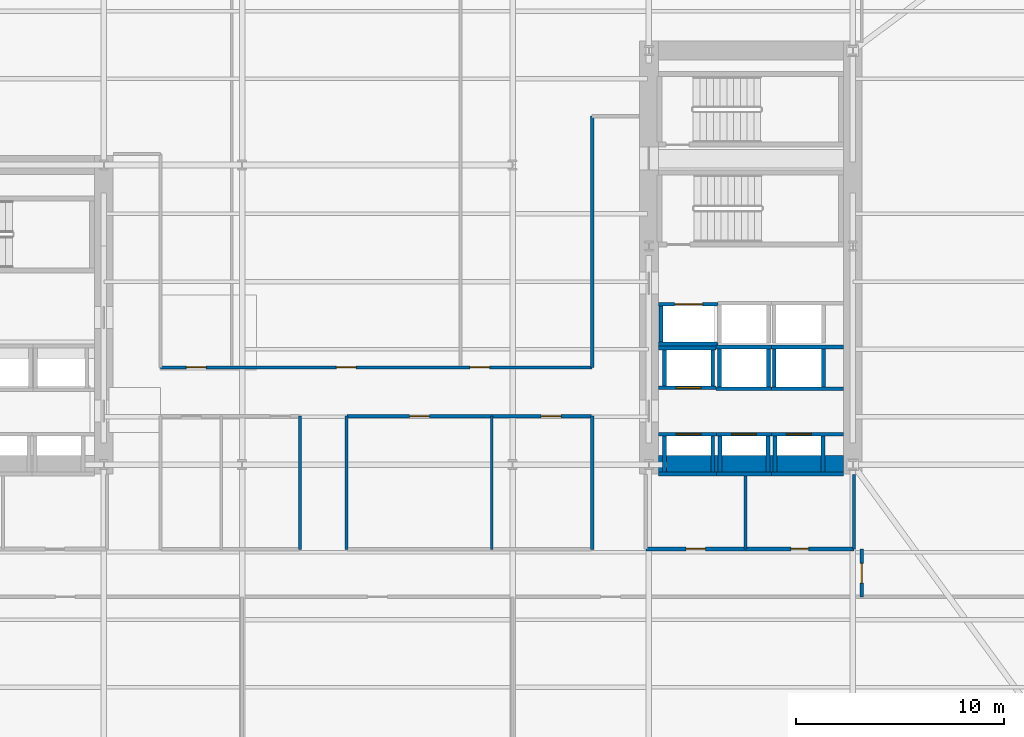
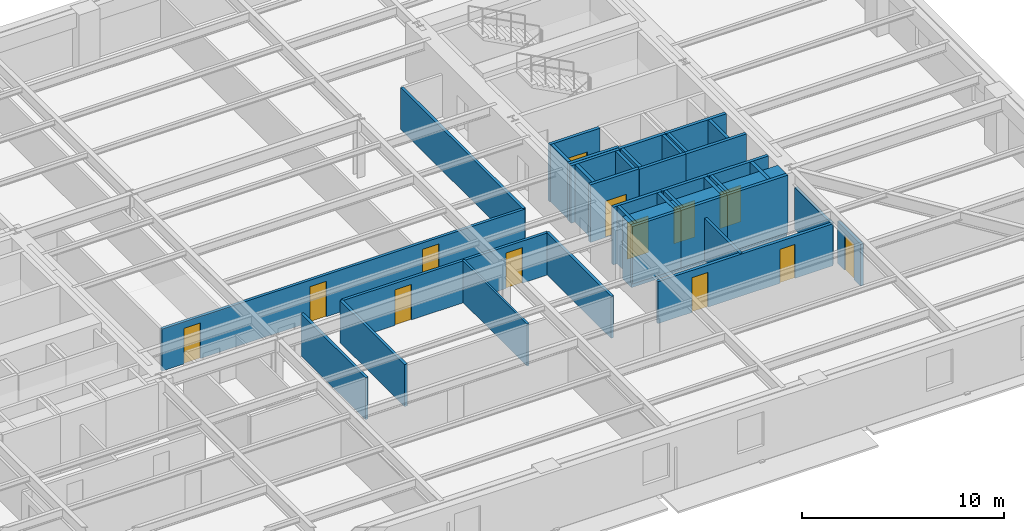
# One storey, part 6 of 14: 39 walls, 13 doors, 13 openings.
"""IFC4 building model written with IfcOpenShell, lengths in metres."""

from ifc_helpers import new_model, si_unit, direction, frame, frame_2d, origin, place, context, subcontext, project, spatial, rectangle, extrude, material, layer, layer_set, type_object, element, fill, save


model = new_model("IFC4")

# Units and contexts
model_context = context("Model", 3, precision=1e-05, world=origin(), true_north=direction((0.0, 1.0)))
body_context = subcontext(model_context, "Body", "Model", "MODEL_VIEW")
ifc_project = project(units=[si_unit("LENGTHUNIT", "METRE"), si_unit("AREAUNIT", "SQUARE_METRE"), si_unit("VOLUMEUNIT", "CUBIC_METRE"), si_unit("PLANEANGLEUNIT", "RADIAN"), si_unit("MASSUNIT", "GRAM", prefix="KILO")], contexts=[model_context])

# Site, building, storey
site_placement = place(None, origin())
site = spatial("IfcSite", under=ifc_project, at=site_placement, CompositionType="ELEMENT")
building_placement = place(site_placement, origin())
building = spatial("IfcBuilding", under=site, at=building_placement, Name="Kolvaren Arena Tower", CompositionType="ELEMENT")
storey_placement = place(building_placement, frame((0.0, 0.0, 79.5)))
storey = spatial("IfcBuildingStorey", under=building, at=storey_placement, Name="L17", CompositionType="ELEMENT", Elevation=79.5)

# Wall, openings, doors
ifc_material_1 = material(Name="Gypsum board acoustic assembly", Category="gypsum")
ifc_layer_1 = layer(ifc_material_1, 0.159912109375)
ifc_layer_set_1 = layer_set([ifc_layer_1], Name="Gypsum board acoustic assembly")
wall_type_1 = type_object("IfcWallType", Name="CORR-160", PredefinedType="PARTITIONING", material=ifc_layer_set_1)
wall_1_placement = place(storey_placement, frame((27.080078125, 24.1201171875, 0.0), z_axis=(0.0, 0.0, 1.0), x_axis=(1.0, 0.0, 0.0)))
wall_1 = element("IfcWall", 1, at=wall_1_placement, inside=storey, type_object=wall_type_1, Name="Interior Partition Wall (L17)", PredefinedType="PARTITIONING", context=body_context, shape_type="SweptSolid", body=[
    extrude(rectangle(XDim=20.739990234375, YDim=0.159912109375, at=frame_2d((10.3701171875, 0.0))), origin(), (0.0, 0.0, 1.0), 2.5400390625),
])
opening_1_placement = place(wall_1_placement, frame((1.2451171875, 0.0, 0.0)))
opening_1 = element("IfcOpeningElement", 2, at=opening_1_placement, cuts=wall_1, Name="Opening D05", PredefinedType="OPENING", context=body_context, shape_type="SweptSolid", body=[
    extrude(rectangle(XDim=0.949951171875, YDim=2.14990234375, at=frame_2d((0.47509765625, 1.074951171875))), frame((0.0, 0.08984375, 0.0), z_axis=(0.0, -1.0, 0.0), x_axis=(1.0, 0.0, 0.0)), (0.0, 0.0, 1.0), 0.179931640625),
])
opening_2_placement = place(wall_1_placement, frame((8.445068359375, 0.0, 0.0)))
opening_2 = element("IfcOpeningElement", 3, at=opening_2_placement, cuts=wall_1, Name="Opening D05", PredefinedType="OPENING", context=body_context, shape_type="SweptSolid", body=[
    extrude(rectangle(XDim=0.949951171875, YDim=2.14990234375, at=frame_2d((0.47509765625, 1.074951171875))), frame((0.0, 0.08984375, 0.0), z_axis=(0.0, -1.0, 0.0), x_axis=(1.0, 0.0, 0.0)), (0.0, 0.0, 1.0), 0.179931640625),
])
opening_3_placement = place(wall_1_placement, frame((14.8701171875, 0.0, 0.0)))
opening_3 = element("IfcOpeningElement", 4, at=opening_3_placement, cuts=wall_1, Name="Opening D05", PredefinedType="OPENING", context=body_context, shape_type="SweptSolid", body=[
    extrude(rectangle(XDim=0.949951171875, YDim=2.14990234375, at=frame_2d((0.47509765625, 1.074951171875))), frame((0.0, 0.08984375, 0.0), z_axis=(0.0, -1.0, 0.0), x_axis=(1.0, 0.0, 0.0)), (0.0, 0.0, 1.0), 0.179931640625),
])
ifc_material_2 = material(Name="Solid-core oak acoustic office door", Category="wood")
door_type_1 = type_object("IfcDoorType", Name="DOOR-OF-095", OperationType="NOTDEFINED", PredefinedType="DOOR", material=ifc_material_2)
door_1_placement = place(opening_1_placement, origin())
door_1 = element("IfcDoor", 5, at=door_1_placement, inside=storey, type_object=door_type_1, Name="Corporate Project Office Door (L17)", OperationType="SINGLE_SWING_RIGHT", OverallHeight=2.14990234375, OverallWidth=0.949951171875, PredefinedType="DOOR", context=body_context, shape_type="SweptSolid", body=[
    extrude(rectangle(XDim=0.949951171875, YDim=2.14990234375, at=frame_2d((0.47509765625, 1.074951171875))), frame((0.0, 0.02490234375, 0.0), z_axis=(0.0, -1.0, 0.0), x_axis=(1.0, 0.0, 0.0)), (0.0, 0.0, 1.0), 0.050048828125),
])
fill(opening_1, door_1)
door_2_placement = place(opening_2_placement, origin())
door_2 = element("IfcDoor", 6, at=door_2_placement, inside=storey, type_object=door_type_1, Name="Breakout Pantry and Kitchen Door (L17)", OperationType="SINGLE_SWING_LEFT", OverallHeight=2.14990234375, OverallWidth=0.949951171875, PredefinedType="DOOR", context=body_context, shape_type="SweptSolid", body=[
    extrude(rectangle(XDim=0.949951171875, YDim=2.14990234375, at=frame_2d((0.47509765625, 1.074951171875))), frame((0.0, 0.02490234375, 0.0), z_axis=(0.0, -1.0, 0.0), x_axis=(1.0, 0.0, 0.0)), (0.0, 0.0, 1.0), 0.050048828125),
])
fill(opening_2, door_2)
door_3_placement = place(opening_3_placement, origin())
door_3 = element("IfcDoor", 7, at=door_3_placement, inside=storey, type_object=door_type_1, Name="Design Studio Door (L17)", OperationType="SINGLE_SWING_RIGHT", OverallHeight=2.14990234375, OverallWidth=0.949951171875, PredefinedType="DOOR", context=body_context, shape_type="SweptSolid", body=[
    extrude(rectangle(XDim=0.949951171875, YDim=2.14990234375, at=frame_2d((0.47509765625, 1.074951171875))), frame((0.0, 0.02490234375, 0.0), z_axis=(0.0, -1.0, 0.0), x_axis=(1.0, 0.0, 0.0)), (0.0, 0.0, 1.0), 0.050048828125),
])
fill(opening_3, door_3)

wall_2_placement = place(storey_placement, frame((36.0400390625, 21.780029296875, 0.0), z_axis=(0.0, 0.0, 1.0), x_axis=(1.0, 0.0, 0.0)))
wall_2 = element("IfcWall", 8, at=wall_2_placement, inside=storey, type_object=wall_type_1, Name="Interior Partition Wall (L17)", PredefinedType="PARTITIONING", context=body_context, shape_type="SweptSolid", body=[
    extrude(rectangle(XDim=11.760009765625, YDim=0.159912109375, at=frame_2d((5.8798828125, 0.0))), origin(), (0.0, 0.0, 1.0), 2.5400390625),
])
opening_4_placement = place(wall_2_placement, frame((3.0048828125, 0.0, 0.0)))
opening_4 = element("IfcOpeningElement", 9, at=opening_4_placement, cuts=wall_2, Name="Opening D05", PredefinedType="OPENING", context=body_context, shape_type="SweptSolid", body=[
    extrude(rectangle(XDim=0.949951171875, YDim=2.14990234375, at=frame_2d((0.47509765625, 1.074951171875))), frame((0.0, 0.08984375, 0.0), z_axis=(0.0, -1.0, 0.0), x_axis=(1.0, 0.0, 0.0)), (0.0, 0.0, 1.0), 0.179931640625),
])
opening_5_placement = place(wall_2_placement, frame((9.3349609375, 0.0, 0.0)))
opening_5 = element("IfcOpeningElement", 10, at=opening_5_placement, cuts=wall_2, Name="Opening D05", PredefinedType="OPENING", context=body_context, shape_type="SweptSolid", body=[
    extrude(rectangle(XDim=0.949951171875, YDim=2.14990234375, at=frame_2d((0.47509765625, 1.074951171875))), frame((0.0, 0.08984375, 0.0), z_axis=(0.0, -1.0, 0.0), x_axis=(1.0, 0.0, 0.0)), (0.0, 0.0, 1.0), 0.179931640625),
])
door_4_placement = place(opening_4_placement, origin())
door_4 = element("IfcDoor", 11, at=door_4_placement, inside=storey, type_object=door_type_1, Name="Meeting Room Door (L17)", OperationType="SINGLE_SWING_LEFT", OverallHeight=2.14990234375, OverallWidth=0.949951171875, PredefinedType="DOOR", context=body_context, shape_type="SweptSolid", body=[
    extrude(rectangle(XDim=0.949951171875, YDim=2.14990234375, at=frame_2d((0.47509765625, 1.074951171875))), frame((0.0, 0.02490234375, 0.0), z_axis=(0.0, -1.0, 0.0), x_axis=(1.0, 0.0, 0.0)), (0.0, 0.0, 1.0), 0.050048828125),
])
fill(opening_4, door_4)
door_5_placement = place(opening_5_placement, origin())
door_5 = element("IfcDoor", 12, at=door_5_placement, inside=storey, type_object=door_type_1, Name="Boardroom Door (L17)", OperationType="SINGLE_SWING_RIGHT", OverallHeight=2.14990234375, OverallWidth=0.949951171875, PredefinedType="DOOR", context=body_context, shape_type="SweptSolid", body=[
    extrude(rectangle(XDim=0.949951171875, YDim=2.14990234375, at=frame_2d((0.47509765625, 1.074951171875))), frame((0.0, 0.02490234375, 0.0), z_axis=(0.0, -1.0, 0.0), x_axis=(1.0, 0.0, 0.0)), (0.0, 0.0, 1.0), 0.050048828125),
])
fill(opening_5, door_5)

# Walls
for number, where, z_axis, x_axis, name in (
    (13, (33.780029296875, 15.3798828125, 0.0), (0.0, 0.0, 1.0), (0.0, 1.0, 0.0), "Interior Partition Wall (L17)"),
    (14, (36.02001953125, 15.3798828125, 0.0), (0.0, 0.0, 1.0), (0.0, 1.0, 0.0), "Interior Partition Wall (L17)"),
    (15, (47.820068359375, 15.3798828125, 0.0), (0.0, 0.0, 1.0), (0.0, 1.0, 0.0), "Interior Partition Wall (L17)"),
):
    element("IfcWall", number, at=place(storey_placement, frame(where, z_axis=z_axis, x_axis=x_axis)), inside=storey, type_object=wall_type_1, Name=name, PredefinedType="PARTITIONING", context=body_context, shape_type="SweptSolid", body=[
        extrude(rectangle(XDim=6.400146484375, YDim=0.159912109375, at=frame_2d((3.2001953125, 0.0))), origin(), (0.0, 0.0, 1.0), 2.5400390625),
    ])
wall_3_placement = place(storey_placement, frame((47.820068359375, 24.1201171875, 0.0), z_axis=(0.0, 0.0, 1.0), x_axis=(0.0, 1.0, 0.0)))
element("IfcWall", 16, at=wall_3_placement, inside=storey, type_object=wall_type_1, Name="Interior Partition Wall (L17)", PredefinedType="PARTITIONING", context=body_context, shape_type="SweptSolid", body=[
    extrude(rectangle(XDim=12.079833984375, YDim=0.159912109375, at=frame_2d((6.0400390625, 0.0))), origin(), (0.0, 0.0, 1.0), 2.5400390625),
])

# Wall, opening, door
wall_4_placement = place(storey_placement, frame((60.780029296875, 13.10009765625, 0.0), z_axis=(0.0, 0.0, 1.0), x_axis=(0.0, 1.0, 0.0)))
wall_4 = element("IfcWall", 17, at=wall_4_placement, inside=storey, type_object=wall_type_1, Name="Interior Partition Wall (L17)", PredefinedType="PARTITIONING", context=body_context, shape_type="SweptSolid", body=[
    extrude(rectangle(XDim=2.2998046875, YDim=0.159912109375, at=frame_2d((1.14990234375, 0.0))), origin(), (0.0, 0.0, 1.0), 2.5400390625),
])
opening_6_placement = place(wall_4_placement, frame((0.64990234375, 0.0, 0.0)))
opening_6 = element("IfcOpeningElement", 18, at=opening_6_placement, cuts=wall_4, Name="Opening D05", PredefinedType="OPENING", context=body_context, shape_type="SweptSolid", body=[
    extrude(rectangle(XDim=0.949951171875, YDim=2.14990234375, at=frame_2d((0.47509765625, 1.074951171875))), frame((0.0, 0.08984375, 0.0), z_axis=(0.0, -1.0, 0.0), x_axis=(1.0, 0.0, 0.0)), (0.0, 0.0, 1.0), 0.179931640625),
])
door_6_placement = place(opening_6_placement, origin())
door_6 = element("IfcDoor", 19, at=door_6_placement, inside=storey, type_object=door_type_1, Name="East Wing Studio Door (L17)", OperationType="SINGLE_SWING_RIGHT", OverallHeight=2.14990234375, OverallWidth=0.949951171875, PredefinedType="DOOR", context=body_context, shape_type="SweptSolid", body=[
    extrude(rectangle(XDim=0.949951171875, YDim=2.14990234375, at=frame_2d((0.47509765625, 1.074951171875))), frame((0.0, 0.02490234375, 0.0), z_axis=(0.0, -1.0, 0.0), x_axis=(1.0, 0.0, 0.0)), (0.0, 0.0, 1.0), 0.050048828125),
])
fill(opening_6, door_6)

# Walls
ifc_material_3 = material(Name="Concrete 80 MPa", Category="concrete")
ifc_layer_2 = layer(ifc_material_3, 0.89990234375)
ifc_layer_set_2 = layer_set([ifc_layer_2], Name="Concrete 80 MPa")
wall_type_2 = type_object("IfcWallType", Name="CWALL-900", PredefinedType="SHEAR", material=ifc_layer_set_2)
wall_5_placement = place(storey_placement, frame((51.0, 19.449951171875, -0.27001953125), z_axis=(0.0, 0.0, 1.0), x_axis=(1.0, 0.0, 0.0)))
element("IfcWall", 20, at=wall_5_placement, inside=storey, type_object=wall_type_2, Name="Core Shear Wall EC-SOUTH (L17)", PredefinedType="SHEAR", context=body_context, shape_type="SweptSolid", body=[
    extrude(rectangle(XDim=8.89990234375, YDim=0.89990234375, at=frame_2d((4.449951171875, 0.0))), origin(), (0.0, 0.0, 1.0), 3.75),
])
ifc_material_4 = material(Name="Gypsum board partition assembly", Category="gypsum")
ifc_layer_3 = layer(ifc_material_4, 0.114990234375)
ifc_layer_set_3 = layer_set([ifc_layer_3], Name="Gypsum board partition assembly")
wall_type_3 = type_object("IfcWallType", Name="PART-115", PredefinedType="PARTITIONING", material=ifc_layer_set_3)
wall_6_placement = place(storey_placement, frame((43.0, 15.3798828125, 0.0), z_axis=(0.0, 0.0, 1.0), x_axis=(0.0, 1.0, 0.0)))
element("IfcWall", 21, at=wall_6_placement, inside=storey, type_object=wall_type_3, Name="Interior Partition Wall (L17)", PredefinedType="PARTITIONING", context=body_context, shape_type="SweptSolid", body=[
    extrude(rectangle(XDim=6.400146484375, YDim=0.114990234375, at=frame_2d((3.2001953125, 0.0))), origin(), (0.0, 0.0, 1.0), 2.5400390625),
])

# Wall, opening, door
ifc_material_5 = material(Name="Concrete 45 MPa", Category="concrete")
ifc_layer_4 = layer(ifc_material_5, 0.25)
ifc_layer_set_4 = layer_set([ifc_layer_4], Name="Concrete 45 MPa")
wall_type_4 = type_object("IfcWallType", Name="SHAFT-250", PredefinedType="SOLIDWALL", material=ifc_layer_set_4)
wall_7_placement = place(storey_placement, frame((51.0, 20.905029296875, 0.0), z_axis=(0.0, 0.0, 1.0), x_axis=(1.0, 0.0, 0.0)))
wall_7 = element("IfcWall", 22, at=wall_7_placement, inside=storey, type_object=wall_type_4, Name="Core Shaft Wall (L17)", PredefinedType="SOLIDWALL", context=body_context, shape_type="SweptSolid", body=[
    extrude(rectangle(XDim=2.7900390625, YDim=0.179931640625, at=frame_2d((1.39501953125, 0.0))), origin(), (0.0, 0.0, 1.0), 3.47998046875),
])
opening_7_placement = place(wall_7_placement, frame((0.860107421875, 0.0, 0.0)))
opening_7 = element("IfcOpeningElement", 23, at=opening_7_placement, cuts=wall_7, Name="Opening LD1", PredefinedType="OPENING", context=body_context, shape_type="SweptSolid", body=[
    extrude(rectangle(XDim=1.199951171875, YDim=2.199951171875, at=frame_2d((0.60009765625, 1.10009765625))), frame((0.0, 0.099853515625, 0.0), z_axis=(0.0, -1.0, 0.0), x_axis=(1.0, 0.0, 0.0)), (0.0, 0.0, 1.0), 0.199951171875),
])
ifc_material_6 = material(Name="Stainless steel passenger lift landing door", Category="steel")
door_type_2 = type_object("IfcDoorType", Name="DOOR-LD-120", OperationType="DOUBLE_DOOR_SLIDING", PredefinedType="DOOR", material=ifc_material_6)
door_7_placement = place(opening_7_placement, origin())
door_7 = element("IfcDoor", 24, at=door_7_placement, inside=storey, type_object=door_type_2, Name="Lift EL-LR1 Landing Door (L17)", OperationType="DOUBLE_DOOR_SLIDING", OverallHeight=2.199951171875, OverallWidth=1.199951171875, PredefinedType="DOOR", context=body_context, shape_type="SweptSolid", body=[
    extrude(rectangle(XDim=1.199951171875, YDim=2.199951171875, at=frame_2d((0.60009765625, 1.10009765625))), frame((0.0, 0.02490234375, 0.0), z_axis=(0.0, -1.0, 0.0), x_axis=(1.0, 0.0, 0.0)), (0.0, 0.0, 1.0), 0.050048828125),
])
fill(opening_7, door_7)

# Walls
wall_8_placement = place(storey_placement, frame((51.0, 18.9951171875, 0.0), z_axis=(0.0, 0.0, 1.0), x_axis=(1.0, 0.0, 0.0)))
element("IfcWall", 25, at=wall_8_placement, inside=storey, type_object=wall_type_4, Name="Core Shaft Wall (L17)", PredefinedType="SOLIDWALL", context=body_context, shape_type="SweptSolid", body=[
    extrude(rectangle(XDim=2.7900390625, YDim=0.179931640625, at=frame_2d((1.39501953125, 0.0))), origin(), (0.0, 0.0, 1.0), 3.47998046875),
])
for number, where, z_axis, x_axis, name in (
    (26, (51.304931640625, 19.0849609375, 0.0), (0.0, 0.0, 1.0), (0.0, 1.0, 0.0), "Core Shaft Wall (L17)"),
    (27, (53.614990234375, 19.0849609375, 0.0), (0.0, 0.0, 1.0), (0.0, 1.0, 0.0), "Core Shaft Wall (L17)"),
):
    element("IfcWall", number, at=place(storey_placement, frame(where, z_axis=z_axis, x_axis=x_axis)), inside=storey, type_object=wall_type_4, Name=name, PredefinedType="SOLIDWALL", context=body_context, shape_type="SweptSolid", body=[
        extrude(rectangle(XDim=1.72998046875, YDim=0.179931640625, at=frame_2d((0.864990234375, 0.0))), origin(), (0.0, 0.0, 1.0), 3.47998046875),
    ])

# Wall, opening, door
wall_9_placement = place(storey_placement, frame((53.7900390625, 20.905029296875, 0.0), z_axis=(0.0, 0.0, 1.0), x_axis=(1.0, 0.0, 0.0)))
wall_9 = element("IfcWall", 28, at=wall_9_placement, inside=storey, type_object=wall_type_4, Name="Core Shaft Wall (L17)", PredefinedType="SOLIDWALL", context=body_context, shape_type="SweptSolid", body=[
    extrude(rectangle(XDim=2.64990234375, YDim=0.179931640625, at=frame_2d((1.324951171875, 0.0))), origin(), (0.0, 0.0, 1.0), 3.47998046875),
])
opening_8_placement = place(wall_9_placement, frame((0.72998046875, 0.0, 0.0)))
opening_8 = element("IfcOpeningElement", 29, at=opening_8_placement, cuts=wall_9, Name="Opening LD1", PredefinedType="OPENING", context=body_context, shape_type="SweptSolid", body=[
    extrude(rectangle(XDim=1.199951171875, YDim=2.199951171875, at=frame_2d((0.60009765625, 1.10009765625))), frame((0.0, 0.099853515625, 0.0), z_axis=(0.0, -1.0, 0.0), x_axis=(1.0, 0.0, 0.0)), (0.0, 0.0, 1.0), 0.199951171875),
])
door_8_placement = place(opening_8_placement, origin())
door_8 = element("IfcDoor", 30, at=door_8_placement, inside=storey, type_object=door_type_2, Name="Lift EL-LR2 Landing Door (L17)", OperationType="DOUBLE_DOOR_SLIDING", OverallHeight=2.199951171875, OverallWidth=1.199951171875, PredefinedType="DOOR", context=body_context, shape_type="SweptSolid", body=[
    extrude(rectangle(XDim=1.199951171875, YDim=2.199951171875, at=frame_2d((0.60009765625, 1.10009765625))), frame((0.0, 0.02490234375, 0.0), z_axis=(0.0, -1.0, 0.0), x_axis=(1.0, 0.0, 0.0)), (0.0, 0.0, 1.0), 0.050048828125),
])
fill(opening_8, door_8)

# Walls
wall_10_placement = place(storey_placement, frame((53.7900390625, 18.9951171875, 0.0), z_axis=(0.0, 0.0, 1.0), x_axis=(1.0, 0.0, 0.0)))
element("IfcWall", 31, at=wall_10_placement, inside=storey, type_object=wall_type_4, Name="Core Shaft Wall (L17)", PredefinedType="SOLIDWALL", context=body_context, shape_type="SweptSolid", body=[
    extrude(rectangle(XDim=2.64990234375, YDim=0.179931640625, at=frame_2d((1.324951171875, 0.0))), origin(), (0.0, 0.0, 1.0), 3.47998046875),
])
for number, where, z_axis, x_axis, name in (
    (32, (53.965087890625, 19.0849609375, 0.0), (0.0, 0.0, 1.0), (0.0, 1.0, 0.0), "Core Shaft Wall (L17)"),
    (33, (56.27490234375, 19.0849609375, 0.0), (0.0, 0.0, 1.0), (0.0, 1.0, 0.0), "Core Shaft Wall (L17)"),
):
    element("IfcWall", number, at=place(storey_placement, frame(where, z_axis=z_axis, x_axis=x_axis)), inside=storey, type_object=wall_type_4, Name=name, PredefinedType="SOLIDWALL", context=body_context, shape_type="SweptSolid", body=[
        extrude(rectangle(XDim=1.72998046875, YDim=0.179931640625, at=frame_2d((0.864990234375, 0.0))), origin(), (0.0, 0.0, 1.0), 3.47998046875),
    ])

# Wall, opening, door
wall_11_placement = place(storey_placement, frame((56.43994140625, 20.905029296875, 0.0), z_axis=(0.0, 0.0, 1.0), x_axis=(1.0, 0.0, 0.0)))
wall_11 = element("IfcWall", 34, at=wall_11_placement, inside=storey, type_object=wall_type_4, Name="Core Shaft Wall (L17)", PredefinedType="SOLIDWALL", context=body_context, shape_type="SweptSolid", body=[
    extrude(rectangle(XDim=3.4599609375, YDim=0.179931640625, at=frame_2d((1.72998046875, 0.0))), origin(), (0.0, 0.0, 1.0), 3.47998046875),
])
opening_9_placement = place(wall_11_placement, frame((0.719970703125, 0.0, 0.0)))
opening_9 = element("IfcOpeningElement", 35, at=opening_9_placement, cuts=wall_11, Name="Opening LD1", PredefinedType="OPENING", context=body_context, shape_type="SweptSolid", body=[
    extrude(rectangle(XDim=1.199951171875, YDim=2.199951171875, at=frame_2d((0.60009765625, 1.10009765625))), frame((0.0, 0.099853515625, 0.0), z_axis=(0.0, -1.0, 0.0), x_axis=(1.0, 0.0, 0.0)), (0.0, 0.0, 1.0), 0.199951171875),
])
door_9_placement = place(opening_9_placement, origin())
door_9 = element("IfcDoor", 36, at=door_9_placement, inside=storey, type_object=door_type_2, Name="Lift EL-LR3 Landing Door (L17)", OperationType="DOUBLE_DOOR_SLIDING", OverallHeight=2.199951171875, OverallWidth=1.199951171875, PredefinedType="DOOR", context=body_context, shape_type="SweptSolid", body=[
    extrude(rectangle(XDim=1.199951171875, YDim=2.199951171875, at=frame_2d((0.60009765625, 1.10009765625))), frame((0.0, 0.02490234375, 0.0), z_axis=(0.0, -1.0, 0.0), x_axis=(1.0, 0.0, 0.0)), (0.0, 0.0, 1.0), 0.050048828125),
])
fill(opening_9, door_9)

# Walls
wall_12_placement = place(storey_placement, frame((56.43994140625, 18.9951171875, 0.0), z_axis=(0.0, 0.0, 1.0), x_axis=(1.0, 0.0, 0.0)))
element("IfcWall", 37, at=wall_12_placement, inside=storey, type_object=wall_type_4, Name="Core Shaft Wall (L17)", PredefinedType="SOLIDWALL", context=body_context, shape_type="SweptSolid", body=[
    extrude(rectangle(XDim=3.4599609375, YDim=0.179931640625, at=frame_2d((1.72998046875, 0.0))), origin(), (0.0, 0.0, 1.0), 3.47998046875),
])
for number, where, z_axis, x_axis, name in (
    (38, (56.60498046875, 19.0849609375, 0.0), (0.0, 0.0, 1.0), (0.0, 1.0, 0.0), "Core Shaft Wall (L17)"),
    (39, (58.9150390625, 19.0849609375, 0.0), (0.0, 0.0, 1.0), (0.0, 1.0, 0.0), "Core Shaft Wall (L17)"),
):
    element("IfcWall", number, at=place(storey_placement, frame(where, z_axis=z_axis, x_axis=x_axis)), inside=storey, type_object=wall_type_4, Name=name, PredefinedType="SOLIDWALL", context=body_context, shape_type="SweptSolid", body=[
        extrude(rectangle(XDim=1.72998046875, YDim=0.179931640625, at=frame_2d((0.864990234375, 0.0))), origin(), (0.0, 0.0, 1.0), 3.47998046875),
    ])
wall_13_placement = place(storey_placement, frame((51.0, 25.054931640625, 0.0), z_axis=(0.0, 0.0, 1.0), x_axis=(1.0, 0.0, 0.0)))
element("IfcWall", 40, at=wall_13_placement, inside=storey, type_object=wall_type_4, Name="Core Shaft Wall (L17)", PredefinedType="SOLIDWALL", context=body_context, shape_type="SweptSolid", body=[
    extrude(rectangle(XDim=2.777587890625, YDim=0.179931640625, at=frame_2d((1.388671875, 0.0))), origin(), (0.0, 0.0, 1.0), 3.47998046875),
])

# Wall, opening, door
wall_14_placement = place(storey_placement, frame((51.0, 23.14501953125, 0.0), z_axis=(0.0, 0.0, 1.0), x_axis=(1.0, 0.0, 0.0)))
wall_14 = element("IfcWall", 41, at=wall_14_placement, inside=storey, type_object=wall_type_4, Name="Core Shaft Wall (L17)", PredefinedType="SOLIDWALL", context=body_context, shape_type="SweptSolid", body=[
    extrude(rectangle(XDim=2.777587890625, YDim=0.179931640625, at=frame_2d((1.388671875, 0.0))), origin(), (0.0, 0.0, 1.0), 3.47998046875),
])
opening_10_placement = place(wall_14_placement, frame((0.860107421875, 0.0, 0.0)))
opening_10 = element("IfcOpeningElement", 42, at=opening_10_placement, cuts=wall_14, Name="Opening LD1", PredefinedType="OPENING", context=body_context, shape_type="SweptSolid", body=[
    extrude(rectangle(XDim=1.199951171875, YDim=2.199951171875, at=frame_2d((0.60009765625, 1.10009765625))), frame((0.0, 0.099853515625, 0.0), z_axis=(0.0, -1.0, 0.0), x_axis=(1.0, 0.0, 0.0)), (0.0, 0.0, 1.0), 0.199951171875),
])
door_10_placement = place(opening_10_placement, origin())
door_10 = element("IfcDoor", 43, at=door_10_placement, inside=storey, type_object=door_type_2, Name="Lift EL-LR4 Landing Door (L17)", OperationType="DOUBLE_DOOR_SLIDING", OverallHeight=2.199951171875, OverallWidth=1.199951171875, PredefinedType="DOOR", context=body_context, shape_type="SweptSolid", body=[
    extrude(rectangle(XDim=1.199951171875, YDim=2.199951171875, at=frame_2d((0.60009765625, 1.10009765625))), frame((0.0, 0.02490234375, 0.0), z_axis=(0.0, -1.0, 0.0), x_axis=(1.0, 0.0, 0.0)), (0.0, 0.0, 1.0), 0.050048828125),
])
fill(opening_10, door_10)

# Walls
for number, where, z_axis, x_axis, name in (
    (44, (51.304931640625, 23.235107421875, 0.0), (0.0, 0.0, 1.0), (0.0, 1.0, 0.0), "Core Shaft Wall (L17)"),
    (45, (53.614990234375, 23.235107421875, 0.0), (0.0, 0.0, 1.0), (0.0, 1.0, 0.0), "Core Shaft Wall (L17)"),
):
    element("IfcWall", number, at=place(storey_placement, frame(where, z_axis=z_axis, x_axis=x_axis)), inside=storey, type_object=wall_type_4, Name=name, PredefinedType="SOLIDWALL", context=body_context, shape_type="SweptSolid", body=[
        extrude(rectangle(XDim=1.72998046875, YDim=0.179931640625, at=frame_2d((0.864990234375, 0.0))), origin(), (0.0, 0.0, 1.0), 3.47998046875),
    ])
for number, where, z_axis, x_axis, name in (
    (46, (53.777587890625, 25.10498046875, 0.0), (0.0, 0.0, 1.0), (1.0, 0.0, 0.0), "Core Shaft Wall (L17)"),
    (47, (53.777587890625, 23.094970703125, 0.0), (0.0, 0.0, 1.0), (1.0, 0.0, 0.0), "Core Shaft Wall (L17)"),
):
    element("IfcWall", number, at=place(storey_placement, frame(where, z_axis=z_axis, x_axis=x_axis)), inside=storey, type_object=wall_type_4, Name=name, PredefinedType="SOLIDWALL", context=body_context, shape_type="SweptSolid", body=[
        extrude(rectangle(XDim=2.662353515625, YDim=0.179931640625, at=frame_2d((1.3310546875, 0.0))), origin(), (0.0, 0.0, 1.0), 3.47998046875),
    ])
for number, where, z_axis, x_axis, name in (
    (48, (53.93994140625, 23.18505859375, 0.0), (0.0, 0.0, 1.0), (0.0, 1.0, 0.0), "Core Shaft Wall (L17)"),
    (49, (56.300048828125, 23.18505859375, 0.0), (0.0, 0.0, 1.0), (0.0, 1.0, 0.0), "Core Shaft Wall (L17)"),
):
    element("IfcWall", number, at=place(storey_placement, frame(where, z_axis=z_axis, x_axis=x_axis)), inside=storey, type_object=wall_type_4, Name=name, PredefinedType="SOLIDWALL", context=body_context, shape_type="SweptSolid", body=[
        extrude(rectangle(XDim=1.829833984375, YDim=0.179931640625, at=frame_2d((0.9150390625, 0.0))), origin(), (0.0, 0.0, 1.0), 3.47998046875),
    ])
for number, where, z_axis, x_axis, name in (
    (50, (56.43994140625, 25.10498046875, 0.0), (0.0, 0.0, 1.0), (1.0, 0.0, 0.0), "Core Shaft Wall (L17)"),
    (51, (56.43994140625, 23.094970703125, 0.0), (0.0, 0.0, 1.0), (1.0, 0.0, 0.0), "Core Shaft Wall (L17)"),
):
    element("IfcWall", number, at=place(storey_placement, frame(where, z_axis=z_axis, x_axis=x_axis)), inside=storey, type_object=wall_type_4, Name=name, PredefinedType="SOLIDWALL", context=body_context, shape_type="SweptSolid", body=[
        extrude(rectangle(XDim=3.4599609375, YDim=0.179931640625, at=frame_2d((1.72998046875, 0.0))), origin(), (0.0, 0.0, 1.0), 3.47998046875),
    ])
for number, where, z_axis, x_axis, name in (
    (52, (56.580078125, 23.18505859375, 0.0), (0.0, 0.0, 1.0), (0.0, 1.0, 0.0), "Core Shaft Wall (L17)"),
    (53, (58.93994140625, 23.18505859375, 0.0), (0.0, 0.0, 1.0), (0.0, 1.0, 0.0), "Core Shaft Wall (L17)"),
):
    element("IfcWall", number, at=place(storey_placement, frame(where, z_axis=z_axis, x_axis=x_axis)), inside=storey, type_object=wall_type_4, Name=name, PredefinedType="SOLIDWALL", context=body_context, shape_type="SweptSolid", body=[
        extrude(rectangle(XDim=1.829833984375, YDim=0.179931640625, at=frame_2d((0.9150390625, 0.0))), origin(), (0.0, 0.0, 1.0), 3.47998046875),
    ])

# Wall, opening, door
wall_15_placement = place(storey_placement, frame((51.0, 27.155029296875, 0.0), z_axis=(0.0, 0.0, 1.0), x_axis=(1.0, 0.0, 0.0)))
wall_15 = element("IfcWall", 54, at=wall_15_placement, inside=storey, type_object=wall_type_4, Name="Core Shaft Wall (L17)", PredefinedType="SOLIDWALL", context=body_context, shape_type="SweptSolid", body=[
    extrude(rectangle(XDim=2.864990234375, YDim=0.179931640625, at=frame_2d((1.4326171875, 0.0))), origin(), (0.0, 0.0, 1.0), 3.47998046875),
])
opening_11_placement = place(wall_15_placement, frame((0.784912109375, 0.0, 0.0)))
opening_11 = element("IfcOpeningElement", 55, at=opening_11_placement, cuts=wall_15, Name="Opening LD2", PredefinedType="OPENING", context=body_context, shape_type="SweptSolid", body=[
    extrude(rectangle(XDim=1.35009765625, YDim=2.300048828125, at=frame_2d((0.675048828125, 1.14990234375))), frame((0.0, 0.099853515625, 0.0), z_axis=(0.0, -1.0, 0.0), x_axis=(1.0, 0.0, 0.0)), (0.0, 0.0, 1.0), 0.199951171875),
])
ifc_material_7 = material(Name="Stainless steel firefighter lift landing door", Category="steel")
door_type_3 = type_object("IfcDoorType", Name="DOOR-LD-135", OperationType="DOUBLE_DOOR_SLIDING", PredefinedType="DOOR", material=ifc_material_7)
door_11_placement = place(opening_11_placement, origin())
door_11 = element("IfcDoor", 56, at=door_11_placement, inside=storey, type_object=door_type_3, Name="Firefighter Lift FF-E1 Landing Door (L17)", OperationType="DOUBLE_DOOR_SLIDING", OverallHeight=2.300048828125, OverallWidth=1.35009765625, PredefinedType="DOOR", context=body_context, shape_type="SweptSolid", body=[
    extrude(rectangle(XDim=1.35009765625, YDim=2.300048828125, at=frame_2d((0.675048828125, 1.14990234375))), frame((0.0, 0.02490234375, 0.0), z_axis=(0.0, -1.0, 0.0), x_axis=(1.0, 0.0, 0.0)), (0.0, 0.0, 1.0), 0.050048828125),
])
fill(opening_11, door_11)

# Walls
wall_16_placement = place(storey_placement, frame((51.0, 25.2451171875, 0.0), z_axis=(0.0, 0.0, 1.0), x_axis=(1.0, 0.0, 0.0)))
element("IfcWall", 57, at=wall_16_placement, inside=storey, type_object=wall_type_4, Name="Core Shaft Wall (L17)", PredefinedType="SOLIDWALL", context=body_context, shape_type="SweptSolid", body=[
    extrude(rectangle(XDim=2.864990234375, YDim=0.179931640625, at=frame_2d((1.4326171875, 0.0))), origin(), (0.0, 0.0, 1.0), 3.47998046875),
])
wall_17_placement = place(storey_placement, frame((51.1298828125, 25.3349609375, 0.0), z_axis=(0.0, 0.0, 1.0), x_axis=(0.0, 1.0, 0.0)))
element("IfcWall", 58, at=wall_17_placement, inside=storey, type_object=wall_type_4, Name="Core Shaft Wall (L17)", PredefinedType="SOLIDWALL", context=body_context, shape_type="SweptSolid", body=[
    extrude(rectangle(XDim=1.72998046875, YDim=0.179931640625, at=frame_2d((0.864990234375, 0.0))), origin(), (0.0, 0.0, 1.0), 3.47998046875),
])

# Wall, openings, doors
wall_18_placement = place(storey_placement, frame((50.39990234375, 15.39990234375, 0.0), z_axis=(0.0, 0.0, 1.0), x_axis=(1.0, 0.0, 0.0)))
wall_18 = element("IfcWall", 59, at=wall_18_placement, inside=storey, type_object=wall_type_4, Name="Interior Partition Wall (L17)", PredefinedType="SOLIDWALL", context=body_context, shape_type="SweptSolid", body=[
    extrude(rectangle(XDim=10.0, YDim=0.179931640625, at=frame_2d((5.0, 0.0))), origin(), (0.0, 0.0, 1.0), 2.5400390625),
])
opening_12_placement = place(wall_18_placement, frame((1.93994140625, 0.0, 0.0)))
opening_12 = element("IfcOpeningElement", 60, at=opening_12_placement, cuts=wall_18, Name="Opening D07", PredefinedType="OPENING", context=body_context, shape_type="SweptSolid", body=[
    extrude(rectangle(XDim=0.919921875, YDim=2.10009765625, at=frame_2d((0.4599609375, 1.050048828125))), frame((0.0, 0.099853515625, 0.0), z_axis=(0.0, -1.0, 0.0), x_axis=(1.0, 0.0, 0.0)), (0.0, 0.0, 1.0), 0.199951171875),
])
opening_13_placement = place(wall_18_placement, frame((6.969970703125, 0.0, 0.0)))
opening_13 = element("IfcOpeningElement", 61, at=opening_13_placement, cuts=wall_18, Name="Opening D09", PredefinedType="OPENING", context=body_context, shape_type="SweptSolid", body=[
    extrude(rectangle(XDim=0.860107421875, YDim=2.050048828125, at=frame_2d((0.43017578125, 1.02490234375))), frame((0.0, 0.099853515625, 0.0), z_axis=(0.0, -1.0, 0.0), x_axis=(1.0, 0.0, 0.0)), (0.0, 0.0, 1.0), 0.199951171875),
])
ifc_material_8 = material(Name="Fire-rated steel riser access door", Category="steel")
door_type_4 = type_object("IfcDoorType", Name="DOOR-RS-086", OperationType="NOTDEFINED", PredefinedType="DOOR", material=ifc_material_8)
door_12_placement = place(opening_13_placement, origin())
door_12 = element("IfcDoor", 62, at=door_12_placement, inside=storey, type_object=door_type_4, Name="Electrical Riser Closet Door (L17)", OperationType="SINGLE_SWING_RIGHT", OverallHeight=2.050048828125, OverallWidth=0.860107421875, PredefinedType="DOOR", context=body_context, shape_type="SweptSolid", body=[
    extrude(rectangle(XDim=0.860107421875, YDim=2.050048828125, at=frame_2d((0.43017578125, 1.02490234375))), frame((0.0, 0.02490234375, 0.0), z_axis=(0.0, -1.0, 0.0), x_axis=(1.0, 0.0, 0.0)), (0.0, 0.0, 1.0), 0.050048828125),
])
fill(opening_13, door_12)
ifc_material_9 = material(Name="Laminate universal washroom door", Category="wood")
door_type_5 = type_object("IfcDoorType", Name="DOOR-WC-092", OperationType="NOTDEFINED", PredefinedType="DOOR", material=ifc_material_9)
door_13_placement = place(opening_12_placement, origin())
door_13 = element("IfcDoor", 63, at=door_13_placement, inside=storey, type_object=door_type_5, Name="Cleaner and Janitor Store Door (L17)", OperationType="SINGLE_SWING_LEFT", OverallHeight=2.10009765625, OverallWidth=0.919921875, PredefinedType="DOOR", context=body_context, shape_type="SweptSolid", body=[
    extrude(rectangle(XDim=0.919921875, YDim=2.10009765625, at=frame_2d((0.4599609375, 1.050048828125))), frame((0.0, 0.02490234375, 0.0), z_axis=(0.0, -1.0, 0.0), x_axis=(1.0, 0.0, 0.0)), (0.0, 0.0, 1.0), 0.050048828125),
])
fill(opening_12, door_13)

# Walls
ifc_material_10 = material(Name="Moisture-resistant gypsum assembly", Category="gypsum")
ifc_layer_5 = layer(ifc_material_10, 0.14990234375)
ifc_layer_set_5 = layer_set([ifc_layer_5], Name="Moisture-resistant gypsum assembly")
wall_type_5 = type_object("IfcWallType", Name="WETW-150", PredefinedType="PARTITIONING", material=ifc_layer_set_5)
for number, where, z_axis, x_axis, name in (
    (64, (55.199951171875, 15.39990234375, 0.0), (0.0, 0.0, 1.0), (0.0, 1.0, 0.0), "Interior Partition Wall (L17)"),
    (65, (60.39990234375, 15.39990234375, 0.0), (0.0, 0.0, 1.0), (0.0, 1.0, 0.0), "Interior Partition Wall (L17)"),
):
    element("IfcWall", number, at=place(storey_placement, frame(where, z_axis=z_axis, x_axis=x_axis)), inside=storey, type_object=wall_type_5, Name=name, PredefinedType="PARTITIONING", context=body_context, shape_type="SweptSolid", body=[
        extrude(rectangle(XDim=3.580078125, YDim=0.14990234375, at=frame_2d((1.7900390625, 0.0))), origin(), (0.0, 0.0, 1.0), 2.5400390625),
    ])

save(model, "model.ifc")
